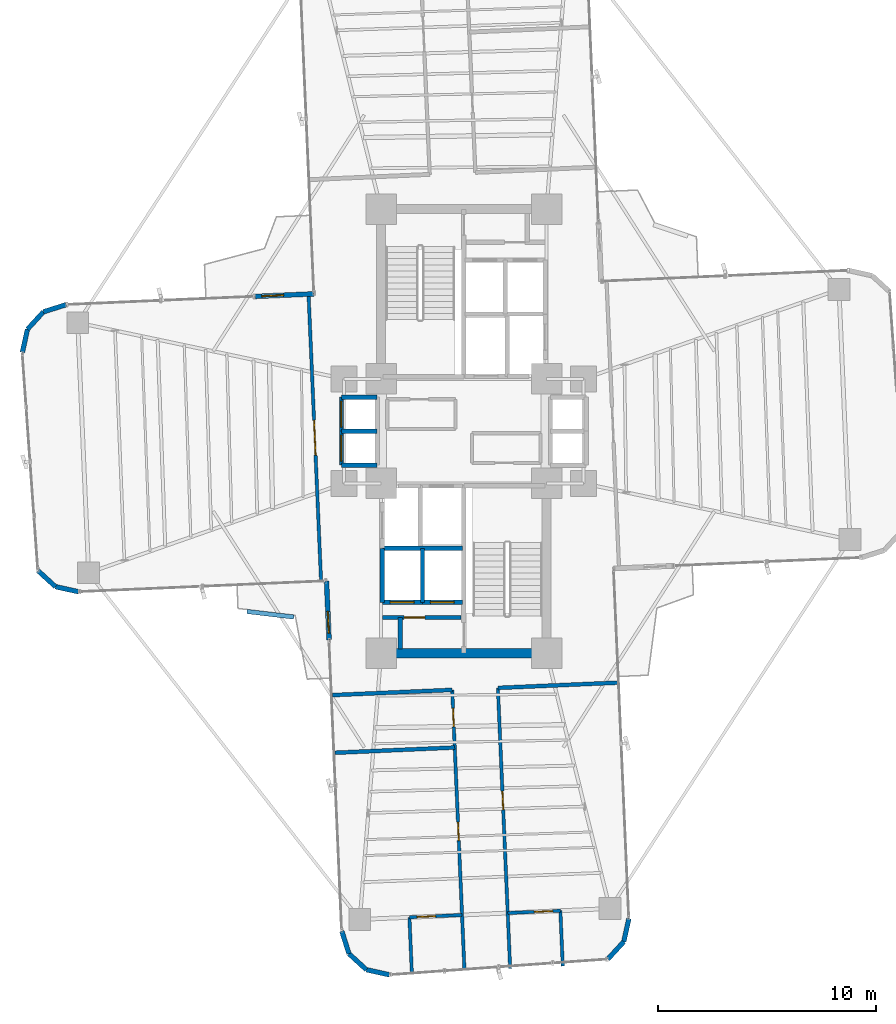
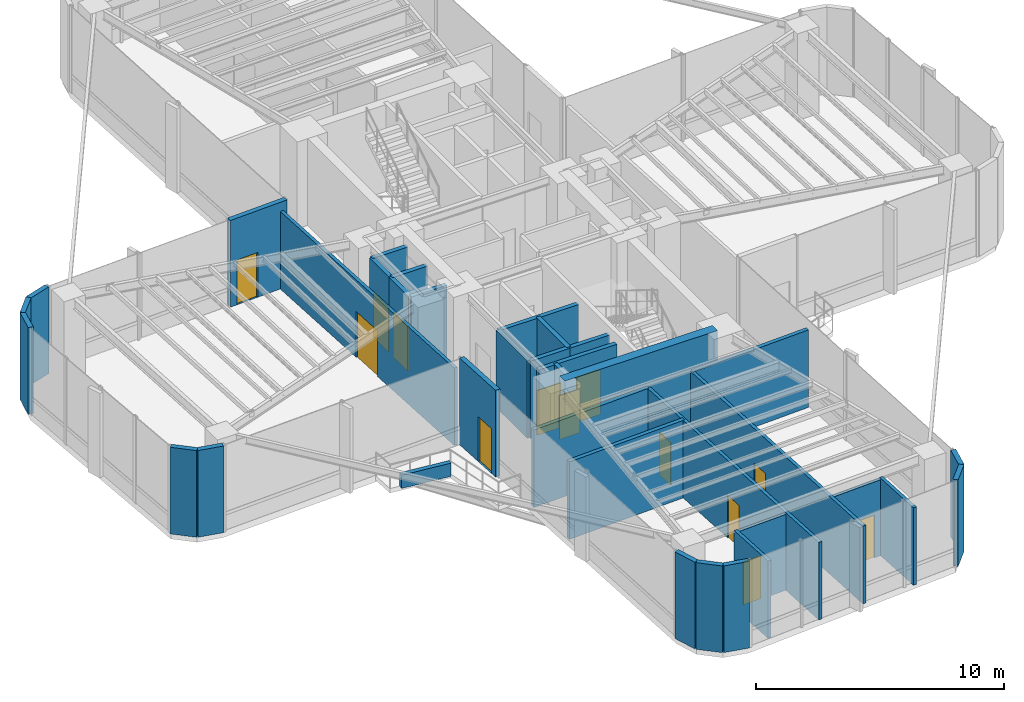
# One storey, part 18 of 21: 36 walls, 13 doors, 13 openings.
"""IFC4 building model written with IfcOpenShell, lengths in metres."""

from ifc_helpers import new_model, si_unit, direction, frame, frame_2d, origin, origin_2d, place, context, subcontext, project, spatial, rectangle, extrude, source, transform, mapped, material, layer, layer_set, type_object, element, fill, save


model = new_model("IFC4")

# Units and contexts
model_context = context("Model", 3, precision=1e-05, world=origin(), true_north=direction((0.0, 1.0)))
body_context = subcontext(model_context, "Body", "Model", "MODEL_VIEW")
ifc_project = project(units=[si_unit("LENGTHUNIT", "METRE"), si_unit("AREAUNIT", "SQUARE_METRE"), si_unit("VOLUMEUNIT", "CUBIC_METRE"), si_unit("PLANEANGLEUNIT", "RADIAN"), si_unit("MASSUNIT", "GRAM", prefix="KILO")], contexts=[model_context])

# Site, building, storey
site_placement = place(None, origin())
site = spatial("IfcSite", under=ifc_project, at=site_placement, CompositionType="ELEMENT")
building_placement = place(site_placement, origin())
building = spatial("IfcBuilding", under=site, at=building_placement, Name="Sahyath Konkavel Grand Hotel", CompositionType="ELEMENT")
storey_placement = place(building_placement, frame((0.0, 0.0, 79.0)))
storey = spatial("IfcBuildingStorey", under=building, at=storey_placement, Name="L21", CompositionType="ELEMENT", Elevation=79.0)

# Wall
ifc_material_1 = material(Name="Concrete C50/60", Category="concrete")
ifc_layer_1 = layer(ifc_material_1, 0.419921875)
ifc_layer_set_1 = layer_set([ifc_layer_1], Name="Concrete C50/60")
wall_type_1 = type_object("IfcWallType", Name="CWALL-420", PredefinedType="SHEAR", material=ifc_layer_set_1)
wall_1_placement = place(storey_placement, frame((-3.550048828125, -10.199951171875, 0.0), z_axis=(0.0, 0.0, 1.0), x_axis=(1.0, 0.0, 0.0)))
element("IfcWall", 1, at=wall_1_placement, inside=storey, type_object=wall_type_1, Name="L21 South Core Shear Wall S", PredefinedType="SHEAR", context=body_context, shape_type="SweptSolid", body=[
    extrude(rectangle(XDim=7.10009765625, YDim=0.419921875, at=frame_2d((3.550048828125, 0.0))), origin(), (0.0, 0.0, 1.0), 4.260009765625),
])

# Wall, opening, door
ifc_material_2 = material(Name="Warm Buff Sandstone Insulated Concrete C40/50", Category="masonry")
ifc_layer_2 = layer(ifc_material_2, 0.219970703125)
ifc_layer_set_2 = layer_set([ifc_layer_2], Name="Warm Buff Sandstone Insulated Concrete C40/50")
wall_type_2 = type_object("IfcWallType", Name="WLL-BALC-THRESH", PredefinedType="STANDARD", material=ifc_layer_set_2)
wall_2_placement = place(storey_placement, frame((-6.881591796875, 6.305908203125, 0.0), z_axis=(0.0, 0.0, 1.0), x_axis=(-0.999045894436, -0.043672655174, 0.0)))
wall_2 = element("IfcWall", 2, at=wall_2_placement, inside=storey, type_object=wall_type_2, Name="L21 Winter-Garden Threshold Wall 16", PredefinedType="STANDARD", context=body_context, shape_type="SweptSolid", body=[
    extrude(rectangle(XDim=2.7001953125, YDim=0.219970703125, at=frame_2d((1.35009765625, 0.0))), origin(), (0.0, 0.0, 1.0), 4.260009765625),
])
opening_1_placement = place(wall_2_placement, frame((1.39990234375, 0.0, 0.0)))
opening_1 = element("IfcOpeningElement", 3, at=opening_1_placement, cuts=wall_2, Name="Opening D-TR1", PredefinedType="OPENING", context=body_context, shape_type="SweptSolid", body=[
    extrude(rectangle(XDim=1.0, YDim=2.199951171875, at=frame_2d((0.5, 1.10009765625))), frame((0.0, 0.1201171875, 0.0), z_axis=(0.0, -1.0, 0.0), x_axis=(1.0, 0.0, 0.0)), (0.0, 0.0, 1.0), 0.239990234375),
])
ifc_material_3 = material(Name="Anodised Bronze Aluminium & Low-E Glazing", Category="aluminium")
door_type_1 = type_object("IfcDoorType", Name="DR-TERRACE-1000", OperationType="NOTDEFINED", PredefinedType="DOOR", material=ifc_material_3)
shared_shape_1 = source(origin(), body_context, "Body", "SweptSolid", [
    extrude(rectangle(XDim=1.0, YDim=0.050048828125, at=origin_2d()), origin(), (0.0, 0.0, 1.0), 2.199951171875),
])
door_1_placement = place(opening_1_placement, frame((0.5, 0.0, 0.0)))
door_1 = element("IfcDoor", 4, at=door_1_placement, inside=storey, type_object=door_type_1, Name="L21 Winter-Garden Terrace Door 16", OperationType="SINGLE_SWING_LEFT", OverallHeight=2.199951171875, OverallWidth=1.0, PredefinedType="DOOR", context=body_context, shape_type="MappedRepresentation", body=[
    mapped(shared_shape_1, transform((0.0, 0.0, 0.0), scale=1.0)),
])
fill(opening_1, door_1)

# Walls
for number, where, z_axis, x_axis, name in (
    (5, (-18.270751953125, 5.80859375, 0.0), (0.0, 0.0, 1.0), (-0.953721713582, -0.30069069331, 0.0), "L21 Rounded Corner Sandstone Pier 17"),
    (6, (-19.3076171875, 5.481689453125, 0.0), (0.0, 0.0, 1.0), (-0.675551721847, -0.737312600672, 0.0), "L21 Rounded Corner Sandstone Pier 18"),
):
    element("IfcWall", number, at=place(storey_placement, frame(where, z_axis=z_axis, x_axis=x_axis)), inside=storey, type_object=wall_type_2, Name=name, PredefinedType="STANDARD", context=body_context, shape_type="SweptSolid", body=[
        extrude(rectangle(XDim=1.087158203125, YDim=0.219970703125, at=frame_2d((0.54345703125, 0.0))), origin(), (0.0, 0.0, 1.0), 4.260009765625),
    ])
for number, where, z_axis, x_axis, name in (
    (7, (-20.0419921875, 4.68017578125, 0.0), (0.0, 0.0, 1.0), (-0.216288323511, -0.976329535102, 0.0), "L21 Rounded Corner Sandstone Pier 19"),
    (8, (-19.5576171875, -6.4091796875, 0.0), (0.0, 0.0, 1.0), (0.737210081318, -0.675663596772, 0.0), "L21 Rounded Corner Sandstone Pier 21"),
):
    element("IfcWall", number, at=place(storey_placement, frame(where, z_axis=z_axis, x_axis=x_axis)), inside=storey, type_object=wall_type_2, Name=name, PredefinedType="STANDARD", context=body_context, shape_type="SweptSolid", body=[
        extrude(rectangle(XDim=1.0869140625, YDim=0.219970703125, at=frame_2d((0.54345703125, 0.0))), origin(), (0.0, 0.0, 1.0), 4.260009765625),
    ])
wall_3_placement = place(storey_placement, frame((-18.75634765625, -7.1435546875, 0.0), z_axis=(0.0, 0.0, 1.0), x_axis=(0.976282085775, -0.216502399514, 0.0)))
element("IfcWall", 9, at=wall_3_placement, inside=storey, type_object=wall_type_2, Name="L21 Rounded Corner Sandstone Pier 22", PredefinedType="STANDARD", context=body_context, shape_type="SweptSolid", body=[
    extrude(rectangle(XDim=1.087158203125, YDim=0.219970703125, at=frame_2d((0.54345703125, 0.0))), origin(), (0.0, 0.0, 1.0), 4.260009765625),
])

# Wall, opening, door
wall_4_placement = place(storey_placement, frame((-6.305908203125, -6.881591796875, 0.0), z_axis=(0.0, 0.0, 1.0), x_axis=(0.043672655174, -0.999045894436, 0.0)))
wall_4 = element("IfcWall", 10, at=wall_4_placement, inside=storey, type_object=wall_type_2, Name="L21 Winter-Garden Threshold Wall 24", PredefinedType="STANDARD", context=body_context, shape_type="SweptSolid", body=[
    extrude(rectangle(XDim=2.7001953125, YDim=0.219970703125, at=frame_2d((1.35009765625, 0.0))), origin(), (0.0, 0.0, 1.0), 4.260009765625),
])
opening_2_placement = place(wall_4_placement, frame((1.39990234375, 0.0, 0.0)))
opening_2 = element("IfcOpeningElement", 11, at=opening_2_placement, cuts=wall_4, Name="Opening D-TR1", PredefinedType="OPENING", context=body_context, shape_type="SweptSolid", body=[
    extrude(rectangle(XDim=1.0, YDim=2.199951171875, at=frame_2d((0.5, 1.10009765625))), frame((0.0, 0.1201171875, 0.0), z_axis=(0.0, -1.0, 0.0), x_axis=(1.0, 0.0, 0.0)), (0.0, 0.0, 1.0), 0.239990234375),
])
door_2_placement = place(opening_2_placement, frame((0.5, 0.0, 0.0)))
door_2 = element("IfcDoor", 12, at=door_2_placement, inside=storey, type_object=door_type_1, Name="L21 Winter-Garden Terrace Door 24", OperationType="SINGLE_SWING_LEFT", OverallHeight=2.199951171875, OverallWidth=1.0, PredefinedType="DOOR", context=body_context, shape_type="MappedRepresentation", body=[
    mapped(shared_shape_1, transform((0.0, 0.0, 0.0), scale=1.0)),
])
fill(opening_2, door_2)

# Walls
wall_5_placement = place(storey_placement, frame((-5.603515625, -22.96630859375, 0.0), z_axis=(0.0, 0.0, 1.0), x_axis=(0.300755105707, -0.953701403161, 0.0)))
element("IfcWall", 13, at=wall_5_placement, inside=storey, type_object=wall_type_2, Name="L21 Rounded Corner Sandstone Pier 25", PredefinedType="STANDARD", context=body_context, shape_type="SweptSolid", body=[
    extrude(rectangle(XDim=1.0869140625, YDim=0.219970703125, at=frame_2d((0.54345703125, 0.0))), origin(), (0.0, 0.0, 1.0), 4.260009765625),
])
wall_6_placement = place(storey_placement, frame((-5.276611328125, -24.0029296875, 0.0), z_axis=(0.0, 0.0, 1.0), x_axis=(0.737312600672, -0.675551721847, 0.0)))
element("IfcWall", 14, at=wall_6_placement, inside=storey, type_object=wall_type_2, Name="L21 Rounded Corner Sandstone Pier 26", PredefinedType="STANDARD", context=body_context, shape_type="SweptSolid", body=[
    extrude(rectangle(XDim=1.087158203125, YDim=0.219970703125, at=frame_2d((0.54345703125, 0.0))), origin(), (0.0, 0.0, 1.0), 4.260009765625),
])
for number, where, z_axis, x_axis, name in (
    (15, (-4.47509765625, -24.7373046875, 0.0), (0.0, 0.0, 1.0), (0.976271555154, -0.216549880158, 0.0), "L21 Rounded Corner Sandstone Pier 27"),
    (16, (6.6142578125, -24.253173828125, 0.0), (0.0, 0.0, 1.0), (0.675663596772, 0.737210081318, 0.0), "L21 Rounded Corner Sandstone Pier 29"),
):
    element("IfcWall", number, at=place(storey_placement, frame(where, z_axis=z_axis, x_axis=x_axis)), inside=storey, type_object=wall_type_2, Name=name, PredefinedType="STANDARD", context=body_context, shape_type="SweptSolid", body=[
        extrude(rectangle(XDim=1.0869140625, YDim=0.219970703125, at=frame_2d((0.54345703125, 0.0))), origin(), (0.0, 0.0, 1.0), 4.260009765625),
    ])
wall_7_placement = place(storey_placement, frame((7.3486328125, -23.451904296875, 0.0), z_axis=(0.0, 0.0, 1.0), x_axis=(0.216454939174, 0.976292609471, 0.0)))
element("IfcWall", 17, at=wall_7_placement, inside=storey, type_object=wall_type_2, Name="L21 Rounded Corner Sandstone Pier 30", PredefinedType="STANDARD", context=body_context, shape_type="SweptSolid", body=[
    extrude(rectangle(XDim=1.08740234375, YDim=0.219970703125, at=frame_2d((0.543701171875, 0.0))), origin(), (0.0, 0.0, 1.0), 4.260009765625),
])
ifc_material_4 = material(Name="Concrete C40/50", Category="concrete")
ifc_layer_3 = layer(ifc_material_4, 0.199951171875)
ifc_layer_set_3 = layer_set([ifc_layer_3], Name="Concrete C40/50")
wall_type_3 = type_object("IfcWallType", Name="WLL-CORE-200", PredefinedType="SOLIDWALL", material=ifc_layer_set_3)
wall_8_placement = place(storey_placement, frame((-3.739990234375, -7.860107421875, 0.0), z_axis=(0.0, 0.0, 1.0), x_axis=(0.0, 1.0, 0.0)))
element("IfcWall", 18, at=wall_8_placement, inside=storey, type_object=wall_type_3, Name="L21 Partition SH-PL3-W", PredefinedType="SOLIDWALL", context=body_context, shape_type="SweptSolid", body=[
    extrude(rectangle(XDim=2.480224609375, YDim=0.199951171875, at=frame_2d((1.240234375, 0.0))), origin(), (0.0, 0.0, 1.0), 3.81005859375),
])

# Wall, opening, door
wall_9_placement = place(storey_placement, frame((-3.739990234375, -7.860107421875, 0.0), z_axis=(0.0, 0.0, 1.0), x_axis=(1.0, 0.0, 0.0)))
wall_9 = element("IfcWall", 19, at=wall_9_placement, inside=storey, type_object=wall_type_3, Name="L21 Partition SH-PL3-S", PredefinedType="SOLIDWALL", context=body_context, shape_type="SweptSolid", body=[
    extrude(rectangle(XDim=1.840087890625, YDim=0.199951171875, at=frame_2d((0.919921875, 0.0))), origin(), (0.0, 0.0, 1.0), 3.81005859375),
])
opening_3_placement = place(wall_9_placement, frame((0.360107421875, 0.0, 0.0)))
opening_3 = element("IfcOpeningElement", 20, at=opening_3_placement, cuts=wall_9, Name="Opening LD-11", PredefinedType="OPENING", context=body_context, shape_type="SweptSolid", body=[
    extrude(rectangle(XDim=1.10009765625, YDim=2.199951171875, at=frame_2d((0.550048828125, 1.10009765625))), frame((0.0, 0.10986328125, 0.0), z_axis=(0.0, -1.0, 0.0), x_axis=(1.0, 0.0, 0.0)), (0.0, 0.0, 1.0), 0.219970703125),
])
ifc_material_5 = material(Name="Bronze Lift Landing Door 1100")
door_type_2 = type_object("IfcDoorType", Name="DR-LIFT-1100", OperationType="DOUBLE_DOOR_SLIDING", PredefinedType="DOOR", material=ifc_material_5)
shared_shape_2 = source(origin(), body_context, "Body", "SweptSolid", [
    extrude(rectangle(XDim=1.10009765625, YDim=0.050048828125, at=origin_2d()), origin(), (0.0, 0.0, 1.0), 2.199951171875),
])
door_3_placement = place(opening_3_placement, frame((0.550048828125, 0.0, 0.0)))
door_3 = element("IfcDoor", 21, at=door_3_placement, inside=storey, type_object=door_type_2, Name="L21 Passenger Lift PL-3 Landing Door", OperationType="DOUBLE_DOOR_SLIDING", OverallHeight=2.199951171875, OverallWidth=1.10009765625, PredefinedType="DOOR", context=body_context, shape_type="MappedRepresentation", body=[
    mapped(shared_shape_2, transform((0.0, 0.0, 0.0), scale=1.0)),
])
fill(opening_3, door_3)

# Walls
wall_10_placement = place(storey_placement, frame((-3.739990234375, -5.3798828125, 0.0), z_axis=(0.0, 0.0, 1.0), x_axis=(1.0, 0.0, 0.0)))
element("IfcWall", 22, at=wall_10_placement, inside=storey, type_object=wall_type_3, Name="L21 Partition SH-PL34-N", PredefinedType="SOLIDWALL", context=body_context, shape_type="SweptSolid", body=[
    extrude(rectangle(XDim=3.68994140625, YDim=0.199951171875, at=frame_2d((1.844970703125, 0.0))), origin(), (0.0, 0.0, 1.0), 3.81005859375),
])
wall_11_placement = place(storey_placement, frame((-1.89990234375, -7.860107421875, 0.0), z_axis=(0.0, 0.0, 1.0), x_axis=(0.0, 1.0, 0.0)))
element("IfcWall", 23, at=wall_11_placement, inside=storey, type_object=wall_type_3, Name="L21 Partition SH-PL34-M", PredefinedType="SOLIDWALL", context=body_context, shape_type="SweptSolid", body=[
    extrude(rectangle(XDim=2.480224609375, YDim=0.199951171875, at=frame_2d((1.240234375, 0.0))), origin(), (0.0, 0.0, 1.0), 3.81005859375),
])

# Wall, opening, door
wall_12_placement = place(storey_placement, frame((-1.89990234375, -7.860107421875, 0.0), z_axis=(0.0, 0.0, 1.0), x_axis=(1.0, 0.0, 0.0)))
wall_12 = element("IfcWall", 24, at=wall_12_placement, inside=storey, type_object=wall_type_3, Name="L21 Partition SH-PL4-S", PredefinedType="SOLIDWALL", context=body_context, shape_type="SweptSolid", body=[
    extrude(rectangle(XDim=1.849853515625, YDim=0.199951171875, at=frame_2d((0.9248046875, 0.0))), origin(), (0.0, 0.0, 1.0), 3.81005859375),
])
opening_4_placement = place(wall_12_placement, frame((0.360107421875, 0.0, 0.0)))
opening_4 = element("IfcOpeningElement", 25, at=opening_4_placement, cuts=wall_12, Name="Opening LD-11", PredefinedType="OPENING", context=body_context, shape_type="SweptSolid", body=[
    extrude(rectangle(XDim=1.10009765625, YDim=2.199951171875, at=frame_2d((0.550048828125, 1.10009765625))), frame((0.0, 0.10986328125, 0.0), z_axis=(0.0, -1.0, 0.0), x_axis=(1.0, 0.0, 0.0)), (0.0, 0.0, 1.0), 0.219970703125),
])
door_4_placement = place(opening_4_placement, frame((0.550048828125, 0.0, 0.0)))
door_4 = element("IfcDoor", 26, at=door_4_placement, inside=storey, type_object=door_type_2, Name="L21 Passenger Lift PL-4 Landing Door", OperationType="DOUBLE_DOOR_SLIDING", OverallHeight=2.199951171875, OverallWidth=1.10009765625, PredefinedType="DOOR", context=body_context, shape_type="MappedRepresentation", body=[
    mapped(shared_shape_2, transform((0.0, 0.0, 0.0), scale=1.0)),
])
fill(opening_4, door_4)

# Walls
for number, where, z_axis, x_axis, name in (
    (27, (-5.6201171875, 1.56005859375, 0.0), (0.0, 0.0, 1.0), (1.0, 0.0, 0.0), "L21 Partition SH-SL12-N"),
    (28, (-5.6201171875, -1.56005859375, 0.0), (0.0, 0.0, 1.0), (1.0, 0.0, 0.0), "L21 Partition SH-SL12-S"),
    (29, (-5.6201171875, 0.0, 0.0), (0.0, 0.0, 1.0), (1.0, 0.0, 0.0), "L21 Partition SH-SL12-M"),
):
    element("IfcWall", number, at=place(storey_placement, frame(where, z_axis=z_axis, x_axis=x_axis)), inside=storey, type_object=wall_type_3, Name=name, PredefinedType="SOLIDWALL", context=body_context, shape_type="SweptSolid", body=[
        extrude(rectangle(XDim=1.64013671875, YDim=0.199951171875, at=frame_2d((0.820068359375, 0.0))), origin(), (0.0, 0.0, 1.0), 3.81005859375),
    ])

# Wall, opening, door
wall_13_placement = place(storey_placement, frame((-5.6201171875, 0.0, 0.0), z_axis=(0.0, 0.0, 1.0), x_axis=(0.0, 1.0, 0.0)))
wall_13 = element("IfcWall", 30, at=wall_13_placement, inside=storey, type_object=wall_type_3, Name="L21 Partition SH-SL1-W", PredefinedType="SOLIDWALL", context=body_context, shape_type="SweptSolid", body=[
    extrude(rectangle(XDim=1.56005859375, YDim=0.199951171875, at=frame_2d((0.780029296875, 0.0))), origin(), (0.0, 0.0, 1.0), 3.81005859375),
])
opening_5_placement = place(wall_13_placement, frame((0.179931640625, 0.0, 0.0)))
opening_5 = element("IfcOpeningElement", 31, at=opening_5_placement, cuts=wall_13, Name="Opening LD-12", PredefinedType="OPENING", context=body_context, shape_type="SweptSolid", body=[
    extrude(rectangle(XDim=1.199951171875, YDim=2.199951171875, at=frame_2d((0.60009765625, 1.10009765625))), frame((0.0, 0.10986328125, 0.0), z_axis=(0.0, -1.0, 0.0), x_axis=(1.0, 0.0, 0.0)), (0.0, 0.0, 1.0), 0.219970703125),
])
ifc_material_6 = material(Name="Stainless Steel Lift Landing Door 1200", Category="steel")
door_type_3 = type_object("IfcDoorType", Name="DR-LIFT-1200", OperationType="DOUBLE_DOOR_SLIDING", PredefinedType="DOOR", material=ifc_material_6)
shared_shape_3 = source(origin(), body_context, "Body", "SweptSolid", [
    extrude(rectangle(XDim=1.199951171875, YDim=0.050048828125, at=origin_2d()), origin(), (0.0, 0.0, 1.0), 2.199951171875),
])
door_5_placement = place(opening_5_placement, frame((0.60009765625, 0.0, 0.0)))
door_5 = element("IfcDoor", 32, at=door_5_placement, inside=storey, type_object=door_type_3, Name="L21 Express Shuttle SL-1 Landing Door", OperationType="DOUBLE_DOOR_SLIDING", OverallHeight=2.199951171875, OverallWidth=1.199951171875, PredefinedType="DOOR", context=body_context, shape_type="MappedRepresentation", body=[
    mapped(shared_shape_3, transform((0.0, 0.0, 0.0), scale=1.0)),
])
fill(opening_5, door_5)

wall_14_placement = place(storey_placement, frame((-5.6201171875, -1.56005859375, 0.0), z_axis=(0.0, 0.0, 1.0), x_axis=(0.0, 1.0, 0.0)))
wall_14 = element("IfcWall", 33, at=wall_14_placement, inside=storey, type_object=wall_type_3, Name="L21 Partition SH-SL2-W", PredefinedType="SOLIDWALL", context=body_context, shape_type="SweptSolid", body=[
    extrude(rectangle(XDim=1.56005859375, YDim=0.199951171875, at=frame_2d((0.780029296875, 0.0))), origin(), (0.0, 0.0, 1.0), 3.81005859375),
])
opening_6_placement = place(wall_14_placement, frame((0.179931640625, 0.0, 0.0)))
opening_6 = element("IfcOpeningElement", 34, at=opening_6_placement, cuts=wall_14, Name="Opening LD-12", PredefinedType="OPENING", context=body_context, shape_type="SweptSolid", body=[
    extrude(rectangle(XDim=1.199951171875, YDim=2.199951171875, at=frame_2d((0.60009765625, 1.10009765625))), frame((0.0, 0.10986328125, 0.0), z_axis=(0.0, -1.0, 0.0), x_axis=(1.0, 0.0, 0.0)), (0.0, 0.0, 1.0), 0.219970703125),
])
door_6_placement = place(opening_6_placement, frame((0.60009765625, 0.0, 0.0)))
door_6 = element("IfcDoor", 35, at=door_6_placement, inside=storey, type_object=door_type_3, Name="L21 Express Shuttle SL-2 Landing Door", OperationType="DOUBLE_DOOR_SLIDING", OverallHeight=2.199951171875, OverallWidth=1.199951171875, PredefinedType="DOOR", context=body_context, shape_type="MappedRepresentation", body=[
    mapped(shared_shape_3, transform((0.0, 0.0, 0.0), scale=1.0)),
])
fill(opening_6, door_6)

wall_15_placement = place(storey_placement, frame((-3.739990234375, -8.56005859375, 0.0), z_axis=(0.0, 0.0, 1.0), x_axis=(1.0, 0.0, 0.0)))
wall_15 = element("IfcWall", 36, at=wall_15_placement, inside=storey, type_object=wall_type_3, Name="L21 South FF Lobby Separation Wall", PredefinedType="SOLIDWALL", context=body_context, shape_type="SweptSolid", body=[
    extrude(rectangle(XDim=3.619873046875, YDim=0.199951171875, at=frame_2d((1.81005859375, 0.0))), origin(), (0.0, 0.0, 1.0), 3.81005859375),
])
opening_7_placement = place(wall_15_placement, frame((1.0, 0.0, 0.0)))
opening_7 = element("IfcOpeningElement", 37, at=opening_7_placement, cuts=wall_15, Name="Opening D-F12C", PredefinedType="OPENING", context=body_context, shape_type="SweptSolid", body=[
    extrude(rectangle(XDim=0.949951171875, YDim=2.14990234375, at=frame_2d((0.47509765625, 1.074951171875))), frame((0.0, 0.10986328125, 0.0), z_axis=(0.0, -1.0, 0.0), x_axis=(1.0, 0.0, 0.0)), (0.0, 0.0, 1.0), 0.219970703125),
])
ifc_material_7 = material(Name="Steel E350 Plant Fire Door", Category="steel")
door_type_4 = type_object("IfcDoorType", Name="DR-FD120-950", OperationType="NOTDEFINED", PredefinedType="DOOR", material=ifc_material_7)
shared_shape_4 = source(origin(), body_context, "Body", "SweptSolid", [
    extrude(rectangle(XDim=0.949951171875, YDim=0.050048828125, at=origin_2d()), origin(), (0.0, 0.0, 1.0), 2.14990234375),
])
door_7_placement = place(opening_7_placement, frame((0.47509765625, 0.0, 0.0)))
door_7 = element("IfcDoor", 38, at=door_7_placement, inside=storey, type_object=door_type_4, Name="L21 South Firefighting Lobby Door", OperationType="SINGLE_SWING_RIGHT", OverallHeight=2.14990234375, OverallWidth=0.949951171875, PredefinedType="DOOR", context=body_context, shape_type="MappedRepresentation", body=[
    mapped(shared_shape_4, transform((0.0, 0.0, 0.0), scale=1.0)),
])
fill(opening_7, door_7)

# Walls
wall_16_placement = place(storey_placement, frame((-2.919921875, -10.0, 0.0), z_axis=(0.0, 0.0, 1.0), x_axis=(0.0, 1.0, 0.0)))
element("IfcWall", 39, at=wall_16_placement, inside=storey, type_object=wall_type_3, Name="L21 Partition SFF-W2", PredefinedType="SOLIDWALL", context=body_context, shape_type="SweptSolid", body=[
    extrude(rectangle(XDim=1.43994140625, YDim=0.199951171875, at=frame_2d((0.719970703125, 0.0))), origin(), (0.0, 0.0, 1.0), 3.81005859375),
])
ifc_material_8 = material(Name="Twin-Stud Acoustic Gypsum Plasterboard Partition")
ifc_layer_4 = layer(ifc_material_8, 0.179931640625)
ifc_layer_set_4 = layer_set([ifc_layer_4], Name="Twin-Stud Acoustic Gypsum Plasterboard Partition")
wall_type_4 = type_object("IfcWallType", Name="WLL-DEMISE-180", PredefinedType="PARTITIONING", material=ifc_layer_set_4)
for number, where, z_axis, x_axis, name in (
    (40, (1.56591796875, -11.79296875, 0.0), (0.0, 0.0, 1.0), (0.999047596379, 0.043633704503, 0.0), "L21 Partition L21-S-INL"),
    (41, (-6.02685546875, -12.12451171875, 0.0), (0.0, 0.0, 1.0), (0.999047596379, 0.043633704503, 0.0), "L21 Partition L21-S-INR"),
    (42, (-0.41650390625, -14.531982421875, 0.0), (0.0, 0.0, 1.0), (-0.999047596379, -0.043633704503, 0.0), "L21 Partition S-SSHKP-DEM"),
):
    element("IfcWall", number, at=place(storey_placement, frame(where, z_axis=z_axis, x_axis=x_axis)), inside=storey, type_object=wall_type_4, Name=name, PredefinedType="PARTITIONING", context=body_context, shape_type="SweptSolid", body=[
        extrude(rectangle(XDim=5.5, YDim=0.179931640625, at=frame_2d((2.75, 0.0))), origin(), (0.0, 0.0, 1.0), 3.81005859375),
    ])

# Wall, opening, door
ifc_material_9 = material(Name="Fire-Rated Gypsum Plasterboard Partition")
ifc_layer_5 = layer(ifc_material_9, 0.14990234375)
ifc_layer_set_5 = layer_set([ifc_layer_5], Name="Fire-Rated Gypsum Plasterboard Partition")
wall_type_5 = type_object("IfcWallType", Name="WLL-PART-150", PredefinedType="PARTITIONING", material=ifc_layer_set_5)
wall_17_placement = place(storey_placement, frame((-7.129150390625, 6.2451171875, 0.0), z_axis=(0.0, 0.0, 1.0), x_axis=(0.043609488494, -0.999048653727, 0.0)))
wall_17 = element("IfcWall", 43, at=wall_17_placement, inside=storey, type_object=wall_type_5, Name="L21 Partition L21-W-IN", PredefinedType="PARTITIONING", context=body_context, shape_type="SweptSolid", body=[
    extrude(rectangle(XDim=13.10009765625, YDim=0.14990234375, at=frame_2d((6.550048828125, 0.0))), origin(), (0.0, 0.0, 1.0), 3.81005859375),
])
opening_8_placement = place(wall_17_placement, frame((5.75, 0.0, 0.0)))
opening_8 = element("IfcOpeningElement", 44, at=opening_8_placement, cuts=wall_17, Name="Opening D-DB16", PredefinedType="OPENING", context=body_context, shape_type="SweptSolid", body=[
    extrude(rectangle(XDim=1.60009765625, YDim=2.25, at=frame_2d((0.800048828125, 1.125))), frame((0.0, 0.0849609375, 0.0), z_axis=(0.0, -1.0, 0.0), x_axis=(1.0, 0.0, 0.0)), (0.0, 0.0, 1.0), 0.169921875),
])
ifc_material_10 = material(Name="Double Leaf Lounge Glazed Timber Door", Category="wood")
door_type_5 = type_object("IfcDoorType", Name="DR-DBL-1600", OperationType="DOUBLE_DOOR_SINGLE_SWING", PredefinedType="DOOR", material=ifc_material_10)
shared_shape_5 = source(origin(), body_context, "Body", "SweptSolid", [
    extrude(rectangle(XDim=1.60009765625, YDim=0.050048828125, at=origin_2d()), origin(), (0.0, 0.0, 1.0), 2.25),
])
door_8_placement = place(opening_8_placement, frame((0.800048828125, 0.0, 0.0)))
door_8 = element("IfcDoor", 45, at=door_8_placement, inside=storey, type_object=door_type_5, Name="L21 Door L21-W-D", OperationType="DOUBLE_DOOR_SINGLE_SWING", OverallHeight=2.25, OverallWidth=1.60009765625, PredefinedType="DOOR", context=body_context, shape_type="MappedRepresentation", body=[
    mapped(shared_shape_5, transform((0.0, 0.0, 0.0), scale=1.0)),
])
fill(opening_8, door_8)

wall_18_placement = place(storey_placement, frame((1.56591796875, -11.79296875, 0.0), z_axis=(0.0, 0.0, 1.0), x_axis=(0.04362365918, -0.999048035061, 0.0)))
wall_18 = element("IfcWall", 46, at=wall_18_placement, inside=storey, type_object=wall_type_5, Name="L21 Partition L21-S-CL", PredefinedType="PARTITIONING", context=body_context, shape_type="SweptSolid", body=[
    extrude(rectangle(XDim=12.89990234375, YDim=0.14990234375, at=frame_2d((6.449951171875, 0.0))), origin(), (0.0, 0.0, 1.0), 3.81005859375),
])
opening_9_placement = place(wall_18_placement, frame((4.75, 0.0, 0.0)))
opening_9 = element("IfcOpeningElement", 47, at=opening_9_placement, cuts=wall_18, Name="Opening D-F06D", PredefinedType="OPENING", context=body_context, shape_type="SweptSolid", body=[
    extrude(rectangle(XDim=0.85009765625, YDim=2.10009765625, at=frame_2d((0.425048828125, 1.050048828125))), frame((0.0, 0.0849609375, 0.0), z_axis=(0.0, -1.0, 0.0), x_axis=(1.0, 0.0, 0.0)), (0.0, 0.0, 1.0), 0.169921875),
])
ifc_material_11 = material(Name="Fire-Rated Shaft Access Door")
door_type_6 = type_object("IfcDoorType", Name="DR-FD60-850", OperationType="NOTDEFINED", PredefinedType="DOOR", material=ifc_material_11)
shared_shape_6 = source(origin(), body_context, "Body", "SweptSolid", [
    extrude(rectangle(XDim=0.85009765625, YDim=0.050048828125, at=origin_2d()), origin(), (0.0, 0.0, 1.0), 2.10009765625),
])
door_9_placement = place(opening_9_placement, frame((0.425048828125, 0.0, 0.0)))
door_9 = element("IfcDoor", 48, at=door_9_placement, inside=storey, type_object=door_type_6, Name="L21 Door S-SS1-ED", OperationType="SINGLE_SWING_RIGHT", OverallHeight=2.10009765625, OverallWidth=0.85009765625, PredefinedType="DOOR", context=body_context, shape_type="MappedRepresentation", body=[
    mapped(shared_shape_6, transform((0.0, 0.0, 0.0), scale=1.0)),
])
fill(opening_9, door_9)

# Wall, openings, doors
wall_19_placement = place(storey_placement, frame((-0.531982421875, -11.884521484375, 0.0), z_axis=(0.0, 0.0, 1.0), x_axis=(0.043604769507, -0.999048859704, 0.0)))
wall_19 = element("IfcWall", 49, at=wall_19_placement, inside=storey, type_object=wall_type_5, Name="L21 Partition L21-S-CR", PredefinedType="PARTITIONING", context=body_context, shape_type="SweptSolid", body=[
    extrude(rectangle(XDim=12.89990234375, YDim=0.14990234375, at=frame_2d((6.449951171875, 0.0))), origin(), (0.0, 0.0, 1.0), 3.81005859375),
])
opening_10_placement = place(wall_19_placement, frame((0.85009765625, 0.0, 0.0)))
opening_10 = element("IfcOpeningElement", 50, at=opening_10_placement, cuts=wall_19, Name="Opening D-F06D", PredefinedType="OPENING", context=body_context, shape_type="SweptSolid", body=[
    extrude(rectangle(XDim=0.85009765625, YDim=2.10009765625, at=frame_2d((0.425048828125, 1.050048828125))), frame((0.0, 0.0849609375, 0.0), z_axis=(0.0, -1.0, 0.0), x_axis=(1.0, 0.0, 0.0)), (0.0, 0.0, 1.0), 0.169921875),
])
opening_11_placement = place(wall_19_placement, frame((6.074951171875, 0.0, 0.0)))
opening_11 = element("IfcOpeningElement", 51, at=opening_11_placement, cuts=wall_19, Name="Opening D-F06D", PredefinedType="OPENING", context=body_context, shape_type="SweptSolid", body=[
    extrude(rectangle(XDim=0.85009765625, YDim=2.10009765625, at=frame_2d((0.425048828125, 1.050048828125))), frame((0.0, 0.0849609375, 0.0), z_axis=(0.0, -1.0, 0.0), x_axis=(1.0, 0.0, 0.0)), (0.0, 0.0, 1.0), 0.169921875),
])
door_10_placement = place(opening_10_placement, frame((0.425048828125, 0.0, 0.0)))
door_10 = element("IfcDoor", 52, at=door_10_placement, inside=storey, type_object=door_type_6, Name="L21 Door S-SSHKP-D", OperationType="SINGLE_SWING_LEFT", OverallHeight=2.10009765625, OverallWidth=0.85009765625, PredefinedType="DOOR", context=body_context, shape_type="MappedRepresentation", body=[
    mapped(shared_shape_6, transform((0.0, 0.0, 0.0), scale=1.0)),
])
fill(opening_10, door_10)
door_11_placement = place(opening_11_placement, frame((0.425048828125, 0.0, 0.0)))
door_11 = element("IfcDoor", 53, at=door_11_placement, inside=storey, type_object=door_type_6, Name="L21 Door S-SS2-ED", OperationType="SINGLE_SWING_LEFT", OverallHeight=2.10009765625, OverallWidth=0.85009765625, PredefinedType="DOOR", context=body_context, shape_type="MappedRepresentation", body=[
    mapped(shared_shape_6, transform((0.0, 0.0, 0.0), scale=1.0)),
])
fill(opening_11, door_11)

# Wall, opening, door
wall_20_placement = place(storey_placement, frame((2.017333984375, -22.133056640625, 0.0), z_axis=(0.0, 0.0, 1.0), x_axis=(0.99904986648, 0.04358169669, 0.0)))
wall_20 = element("IfcWall", 54, at=wall_20_placement, inside=storey, type_object=wall_type_5, Name="L21 Partition S-SS1-BS", PredefinedType="PARTITIONING", context=body_context, shape_type="SweptSolid", body=[
    extrude(rectangle(XDim=2.419921875, YDim=0.14990234375, at=frame_2d((1.2099609375, 0.0))), origin(), (0.0, 0.0, 1.0), 3.72998046875),
])
opening_12_placement = place(wall_20_placement, frame((1.219970703125, 0.0, 0.0)))
opening_12 = element("IfcOpeningElement", 55, at=opening_12_placement, cuts=wall_20, Name="Opening D-BT85", PredefinedType="OPENING", context=body_context, shape_type="SweptSolid", body=[
    extrude(rectangle(XDim=0.85009765625, YDim=2.10009765625, at=frame_2d((0.425048828125, 1.050048828125))), frame((0.0, 0.0849609375, 0.0), z_axis=(0.0, -1.0, 0.0), x_axis=(1.0, 0.0, 0.0)), (0.0, 0.0, 1.0), 0.169921875),
])
ifc_material_12 = material(Name="Moisture-Resistant Teak Bathroom Door")
door_type_7 = type_object("IfcDoorType", Name="DR-BATH-850", OperationType="NOTDEFINED", PredefinedType="DOOR", material=ifc_material_12)
door_12_placement = place(opening_12_placement, frame((0.425048828125, 0.0, 0.0)))
door_12 = element("IfcDoor", 56, at=door_12_placement, inside=storey, type_object=door_type_7, Name="L21 Door S-SS1-BD", OperationType="SINGLE_SWING_LEFT", OverallHeight=2.10009765625, OverallWidth=0.85009765625, PredefinedType="DOOR", context=body_context, shape_type="MappedRepresentation", body=[
    mapped(shared_shape_6, transform((0.0, 0.0, 0.0), scale=1.0)),
])
fill(opening_12, door_12)

# Wall
wall_21_placement = place(storey_placement, frame((4.43505859375, -22.027587890625, 0.0), z_axis=(0.0, 0.0, 1.0), x_axis=(0.043657425146, -0.999046560091, 0.0)))
element("IfcWall", 57, at=wall_21_placement, inside=storey, type_object=wall_type_5, Name="L21 Partition S-SS1-BF", PredefinedType="PARTITIONING", context=body_context, shape_type="SweptSolid", body=[
    extrude(rectangle(XDim=2.550048828125, YDim=0.14990234375, at=frame_2d((1.27490234375, 0.0))), origin(), (0.0, 0.0, 1.0), 3.81005859375),
])

# Wall, opening, door
wall_22_placement = place(storey_placement, frame((-0.080810546875, -22.224609375, 0.0), z_axis=(0.0, 0.0, 1.0), x_axis=(-0.999049674836, -0.043586089631, 0.0)))
wall_22 = element("IfcWall", 58, at=wall_22_placement, inside=storey, type_object=wall_type_5, Name="L21 Partition S-SS2-BS", PredefinedType="PARTITIONING", context=body_context, shape_type="SweptSolid", body=[
    extrude(rectangle(XDim=2.419677734375, YDim=0.14990234375, at=frame_2d((1.2099609375, 0.0))), origin(), (0.0, 0.0, 1.0), 3.72998046875),
])
opening_13_placement = place(wall_22_placement, frame((1.219970703125, 0.0, 0.0)))
opening_13 = element("IfcOpeningElement", 59, at=opening_13_placement, cuts=wall_22, Name="Opening D-BT85", PredefinedType="OPENING", context=body_context, shape_type="SweptSolid", body=[
    extrude(rectangle(XDim=0.85009765625, YDim=2.10009765625, at=frame_2d((0.425048828125, 1.050048828125))), frame((0.0, 0.0849609375, 0.0), z_axis=(0.0, -1.0, 0.0), x_axis=(1.0, 0.0, 0.0)), (0.0, 0.0, 1.0), 0.169921875),
])
door_13_placement = place(opening_13_placement, frame((0.425048828125, 0.0, 0.0)))
door_13 = element("IfcDoor", 60, at=door_13_placement, inside=storey, type_object=door_type_7, Name="L21 Door S-SS2-BD", OperationType="SINGLE_SWING_RIGHT", OverallHeight=2.10009765625, OverallWidth=0.85009765625, PredefinedType="DOOR", context=body_context, shape_type="MappedRepresentation", body=[
    mapped(shared_shape_6, transform((0.0, 0.0, 0.0), scale=1.0)),
])
fill(opening_13, door_13)

# Walls
wall_23_placement = place(storey_placement, frame((-2.498291015625, -22.330078125, 0.0), z_axis=(0.0, 0.0, 1.0), x_axis=(0.043561867058, -0.999050731314, 0.0)))
element("IfcWall", 61, at=wall_23_placement, inside=storey, type_object=wall_type_5, Name="L21 Partition S-SS2-BF", PredefinedType="PARTITIONING", context=body_context, shape_type="SweptSolid", body=[
    extrude(rectangle(XDim=2.550048828125, YDim=0.14990234375, at=frame_2d((1.27490234375, 0.0))), origin(), (0.0, 0.0, 1.0), 3.81005859375),
])
ifc_material_13 = material(Name="Warm Buff Sandstone Planter Wall", Category="masonry")
ifc_layer_6 = layer(ifc_material_13, 0.199951171875)
ifc_layer_set_6 = layer_set([ifc_layer_6], Name="Warm Buff Sandstone Planter Wall")
wall_type_6 = type_object("IfcWallType", Name="WLL-PLANTER-200", PredefinedType="PARAPET", material=ifc_layer_set_6)
wall_24_placement = place(storey_placement, frame((-9.957275390625, -8.28466796875, 0.0), z_axis=(0.0, 0.0, 1.0), x_axis=(0.993075826613, -0.117475114796, 0.0)))
element("IfcWall", 62, at=wall_24_placement, inside=storey, type_object=wall_type_6, Name="L21 Sky-Garden Stone Planter PLANTER SW", PredefinedType="PARAPET", context=body_context, shape_type="SweptSolid", body=[
    extrude(rectangle(XDim=2.16748046875, YDim=0.199951171875, at=frame_2d((1.083740234375, 0.0))), origin(), (0.0, 0.0, 1.0), 0.64990234375),
])

save(model, "model.ifc")
